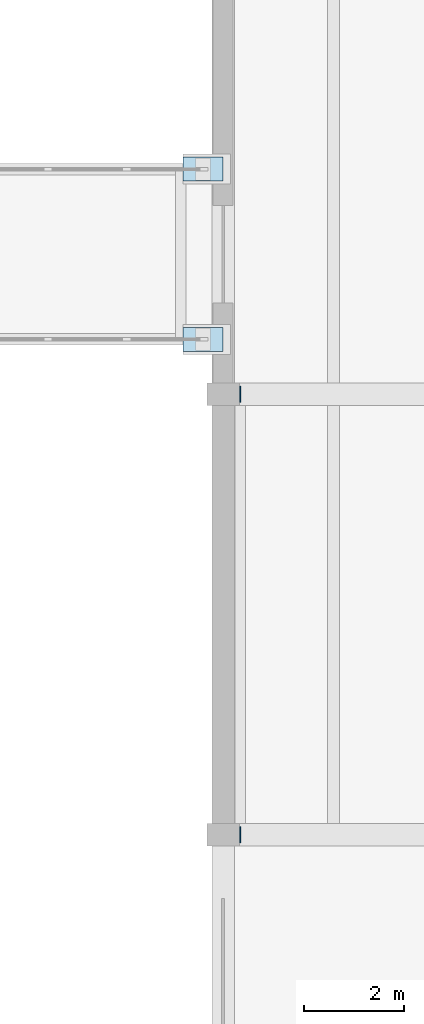
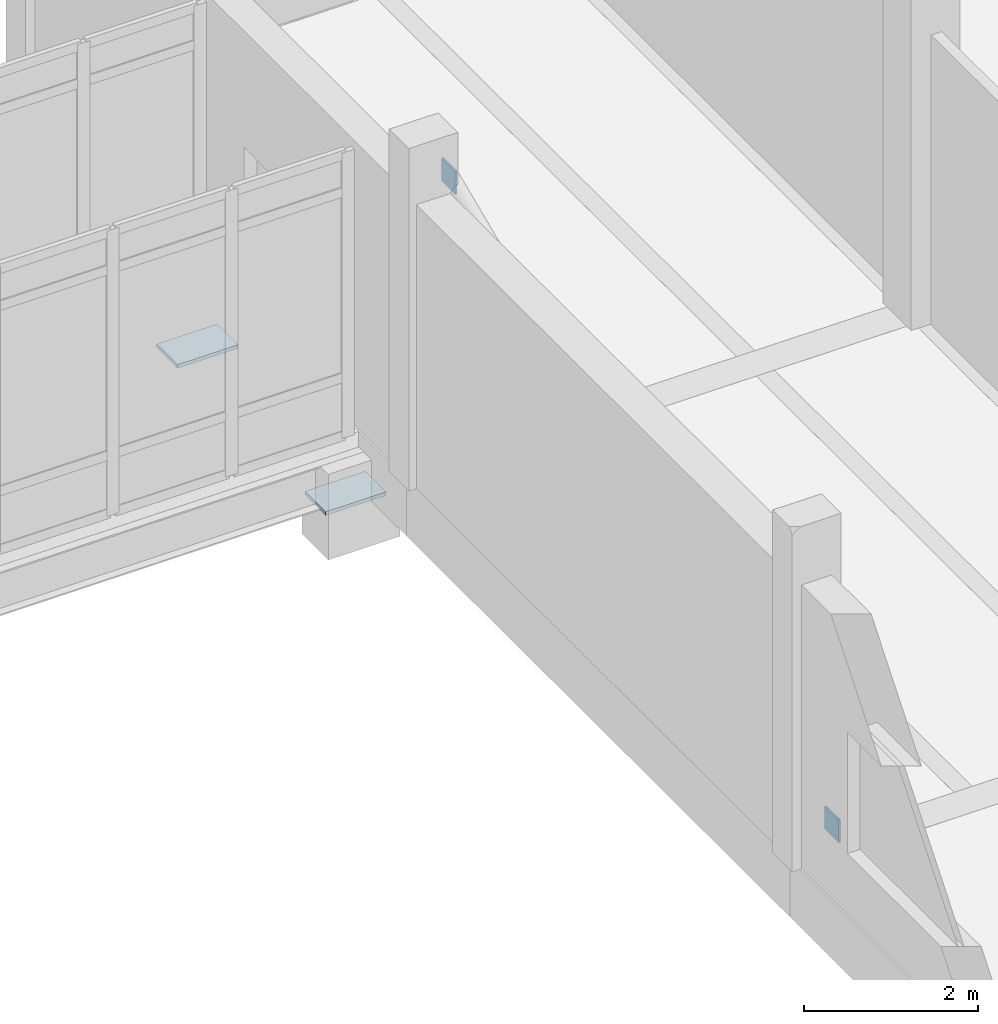
# One storey, part 61 of 101: 4 plates.
"""IFC4 building model written with IfcOpenShell, lengths in metres."""

from ifc_helpers import new_model, si_unit, direction, frame, origin, origin_2d, place, context, subcontext, project, spatial, rectangle, extrude, material, layer, layer_set, type_object, element, save


model = new_model("IFC4")

# Units and contexts
model_context = context("Model", 3, precision=1e-05, world=origin(), true_north=direction((0.0, 1.0)))
body_context = subcontext(model_context, "Body", "Model", "MODEL_VIEW")
ifc_project = project(units=[si_unit("LENGTHUNIT", "METRE"), si_unit("AREAUNIT", "SQUARE_METRE"), si_unit("VOLUMEUNIT", "CUBIC_METRE"), si_unit("PLANEANGLEUNIT", "RADIAN"), si_unit("MASSUNIT", "GRAM", prefix="KILO")], contexts=[model_context])

# Site, building, storey
site_placement = place(None, origin())
site = spatial("IfcSite", under=ifc_project, at=site_placement, CompositionType="ELEMENT")
building_placement = place(site_placement, origin())
building = spatial("IfcBuilding", under=site, at=building_placement, Name="Dornvale Research Institute", CompositionType="ELEMENT")
storey_placement = place(building_placement, frame((0.0, 0.0, 10.199951171875)))
storey = spatial("IfcBuildingStorey", under=building, at=storey_placement, Name="L02", CompositionType="ELEMENT", Elevation=10.199951171875)

# Plates
ifc_material_1 = material(Name="Steel ASTM A572 Grade 50", Category="steel")
ifc_layer_1 = layer(ifc_material_1, 0.050048828125)
ifc_layer_set_1 = layer_set([ifc_layer_1], Name="Steel ASTM A572 Grade 50")
plate_type_1 = type_object("IfcPlateType", Name="SheetPlate_Bearing_50", PredefinedType="SHEET", material=ifc_layer_set_1)
for number, where, z_axis, x_axis, name in (
    (1, (98.60009765625, 18.699951171875, -0.83203125), (0.0, 0.0, 1.0), (1.0, 0.0, 0.0), "Bridge 800mm sliding seat sole plate ND-11"),
    (2, (98.60009765625, 22.10009765625, -0.83203125), (0.0, 0.0, 1.0), (1.0, 0.0, 0.0), "Bridge 800mm sliding seat sole plate ND-12"),
):
    element("IfcPlate", number, at=place(storey_placement, frame(where, z_axis=z_axis, x_axis=x_axis)), inside=storey, type_object=plate_type_1, Name=name, PredefinedType="SHEET", context=body_context, shape_type="SweptSolid", body=[
        extrude(rectangle(XDim=0.800048828125, YDim=0.47998046875, at=origin_2d()), origin(), (0.0, 0.0, 1.0), 0.050048828125),
    ])
ifc_material_2 = material(Name="Steel ASTM A572 Grade 50", Category="steel")
ifc_layer_2 = layer(ifc_material_2, 0.02490234375)
ifc_layer_set_2 = layer_set([ifc_layer_2], Name="Steel ASTM A572 Grade 50")
plate_type_2 = type_object("IfcPlateType", Name="SheetPlate_EndCap_25", PredefinedType="SHEET", material=ifc_layer_set_2)
for number, where, z_axis, x_axis, name in (
    (3, (99.340087890625, 8.800048828125, 0.14013671875), (0.0, 0.0, 1.0), (0.0, 1.0, 0.0), "HSS brace node gusset and cap plate ND-055"),
    (4, (99.340087890625, 17.60009765625, 3.89013671875), (0.0, 0.0, 1.0), (0.0, 1.0, 0.0), "HSS brace node gusset and cap plate ND-056"),
):
    element("IfcPlate", number, at=place(storey_placement, frame(where, z_axis=z_axis, x_axis=x_axis)), inside=storey, type_object=plate_type_2, Name=name, PredefinedType="SHEET", context=body_context, shape_type="SweptSolid", body=[
        extrude(rectangle(XDim=0.320068359375, YDim=0.02490234375, at=origin_2d()), origin(), (0.0, 0.0, 1.0), 0.320068359375),
    ])

save(model, "model.ifc")
